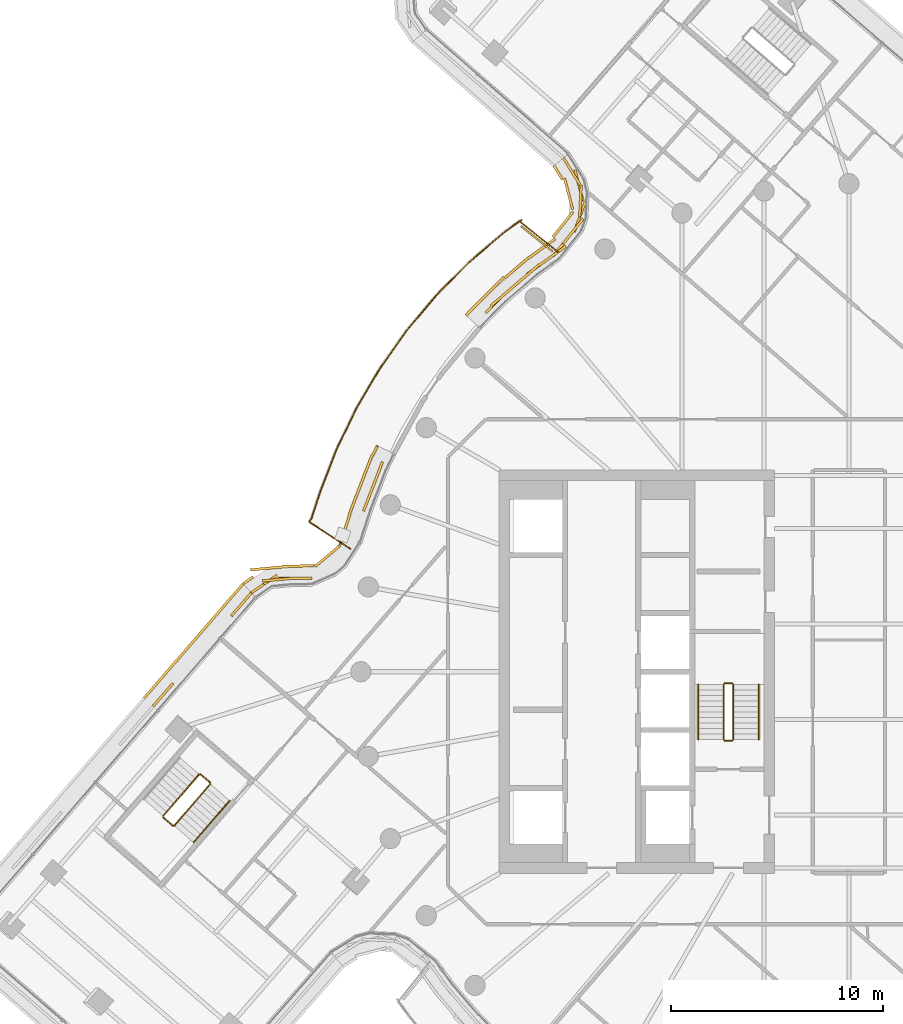
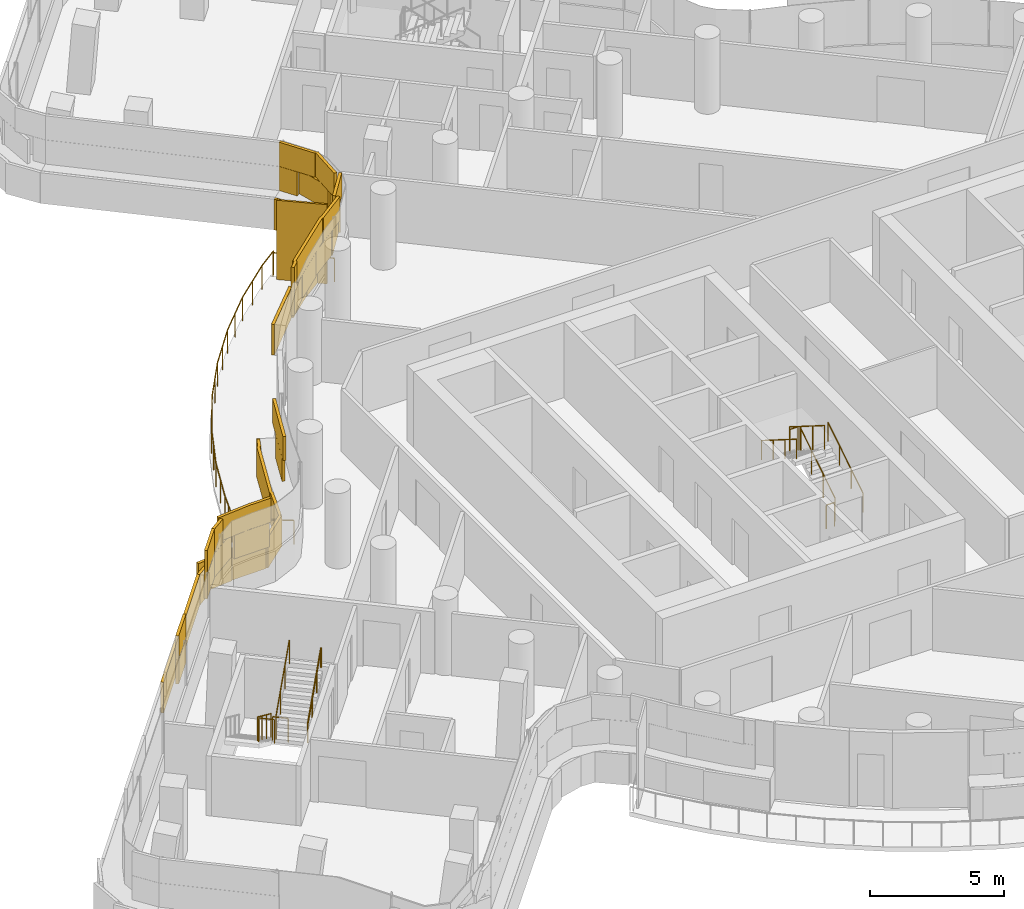
# One storey, part 28 of 32: 12 railings, 3 coverings, 1 shading device.
"""IFC4 building model written with IfcOpenShell, lengths in metres."""

import ifcopenshell
import ifcopenshell.guid

model = None  # the IFC model being written
_history = None  # IfcOwnerHistory: only IFC2X3 demands one
_inside = {}  # id of a spatial element -> (the spatial element, [elements in it])
_under = {}  # id of a project, library or spatial element -> (it, [spatial elements below it])
_declared = {}  # id of a project -> (the project, [libraries it declares])
_typed = {}  # id of a type object -> (the type object, [elements of that type])
_made_of = {}  # id of a material, layer set ... -> (it, [elements and type objects made of it])


def new_model(schema):
    """Start an empty IFC model of exactly this schema.

    Asked for "IFC4X3", IfcOpenShell would pick the latest addendum, in which some entities
    have other attributes; the version numbers below select the first issue.
    IFC2X3 requires an IfcOwnerHistory on every rooted entity: one is made here for all.
    """
    global model, _history
    if schema == "IFC4X3":
        model = ifcopenshell.file(schema_version=(4, 3, 0, 0))
    else:
        model = ifcopenshell.file(schema=schema)
    _inside.clear()
    _under.clear()
    _declared.clear()
    _typed.clear()
    _made_of.clear()
    _history = None
    if model.schema == "IFC2X3":
        org = make("IfcOrganization", Name="unknown")
        user = make(
            "IfcPersonAndOrganization",
            ThePerson=make("IfcPerson", FamilyName="unknown"),
            TheOrganization=org,
        )
        app = make(
            "IfcApplication",
            ApplicationDeveloper=org,
            Version="unknown",
            ApplicationFullName="unknown",
            ApplicationIdentifier="unknown",
        )
        _history = make(
            "IfcOwnerHistory",
            OwningUser=user,
            OwningApplication=app,
            ChangeAction="ADDED",
            CreationDate=0,
        )
    return model


def make(cls, **values):
    """One entity of the class cls with the attributes given. An attribute that is None is left unset."""
    return model.create_entity(
        cls, **{name: value for name, value in values.items() if value is not None}
    )


def rooted(cls, **values):
    """An entity with a GlobalId (a new one), such as an element, a storey or a relation."""
    return make(cls, GlobalId=ifcopenshell.guid.new(), OwnerHistory=_history, **values)


def si_unit(unit_type, name, prefix=None):
    """IfcSIUnit, for example si_unit("LENGTHUNIT", "METRE", prefix="MILLI")."""
    return make("IfcSIUnit", UnitType=unit_type, Prefix=prefix, Name=name)


def assignment(units):
    """IfcUnitAssignment: the units of a project."""
    return None if units is None else make("IfcUnitAssignment", Units=units)


def point(xyz):
    """IfcCartesianPoint."""
    return None if xyz is None else make("IfcCartesianPoint", Coordinates=xyz)


def direction(xyz):
    """IfcDirection."""
    return None if xyz is None else make("IfcDirection", DirectionRatios=xyz)


def frame(location, z_axis=None, x_axis=None):
    """IfcAxis2Placement3D, a coordinate frame: its origin and axes. An axis left out is left unset."""
    return make(
        "IfcAxis2Placement3D",
        Location=point(location),
        Axis=direction(z_axis),
        RefDirection=direction(x_axis),
    )


def frame_2d(location, x_axis=None):
    """IfcAxis2Placement2D, a coordinate frame in the plane: its origin and x axis."""
    return make(
        "IfcAxis2Placement2D", Location=point(location), RefDirection=direction(x_axis)
    )


def origin():
    """The frame at (0, 0, 0) with its axes left unset."""
    return frame((0.0, 0.0, 0.0))


def origin_2d():
    """The frame at (0, 0) in the plane with its x axis left unset."""
    return frame_2d((0.0, 0.0))


def place(relative_to, where):
    """IfcLocalPlacement: puts the frame where relative to a parent placement (None: the world)."""
    return make(
        "IfcLocalPlacement", PlacementRelTo=relative_to, RelativePlacement=where
    )


def context(
    kind, dimensions, precision=None, world=None, true_north=None, identifier=None
):
    """IfcGeometricRepresentationContext, for example the 3D "Model" context."""
    return make(
        "IfcGeometricRepresentationContext",
        ContextIdentifier=identifier,
        ContextType=kind,
        CoordinateSpaceDimension=dimensions,
        Precision=precision,
        WorldCoordinateSystem=world,
        TrueNorth=true_north,
    )


def subcontext(parent, identifier, kind, view, scale=None):
    """IfcGeometricRepresentationSubContext, for example "Body" below "Model"."""
    return make(
        "IfcGeometricRepresentationSubContext",
        ContextIdentifier=identifier,
        ContextType=kind,
        ParentContext=parent,
        TargetScale=scale,
        TargetView=view,
    )


def project(units=None, contexts=None):
    """IfcProject with its units and contexts."""
    return rooted(
        "IfcProject",
        Name="project",
        RepresentationContexts=contexts,
        UnitsInContext=assignment(units),
    )


def spatial(cls, under=None, at=None, **own):
    """A site, building, storey or space (cls), placed at a placement, below another one or the project."""
    s = rooted(cls, ObjectPlacement=at, **own)
    if under is not None:
        _under.setdefault(under.id(), (under, []))[1].append(s)
    return s


def profile(cls, at=None, kind="AREA", **sizes):
    """A parametric profile (cls). Its sizes go by their IFC names, for example OverallWidth=200.0."""
    return make(cls, ProfileType=kind, Position=at, **sizes)


def rectangle(**sizes):
    """IfcRectangleProfileDef."""
    return profile("IfcRectangleProfileDef", **sizes)


def circle(**sizes):
    """IfcCircleProfileDef."""
    return profile("IfcCircleProfileDef", **sizes)


def extrude(swept, where, along, depth):
    """IfcExtrudedAreaSolid: the profile swept, set in the frame where, extruded along a direction by depth."""
    return make(
        "IfcExtrudedAreaSolid",
        SweptArea=swept,
        Position=where,
        ExtrudedDirection=direction(along),
        Depth=depth,
    )


def shape(context_of_items, identifier, shape_type, items):
    """IfcShapeRepresentation: the items that make up one representation, for example the "Body"."""
    return make(
        "IfcShapeRepresentation",
        ContextOfItems=context_of_items,
        RepresentationIdentifier=identifier,
        RepresentationType=shape_type,
        Items=items,
    )


def material(Name=None, Category=None):
    """IfcMaterial."""
    return make("IfcMaterial", Name=Name, Category=Category)


def layer(
    of_material, thickness, ventilated=None, Name=None, Category=None, Priority=None
):
    """IfcMaterialLayer: one layer of a wall or slab, of a material (None: an air gap)."""
    return make(
        "IfcMaterialLayer",
        Material=of_material,
        LayerThickness=thickness,
        IsVentilated=ventilated,
        Name=Name,
        Category=Category,
        Priority=Priority,
    )


def layer_set(layers, Name=None):
    """IfcMaterialLayerSet."""
    return make("IfcMaterialLayerSet", MaterialLayers=layers, LayerSetName=Name)


def made_of(thing, what):
    """Note that an element or type object is made of a material, layer set ...; save() writes the relation."""
    if what is not None:
        _made_of.setdefault(what.id(), (what, []))[1].append(thing)
    return thing


def type_object(cls, material=None, **own):
    """A type object (cls), such as IfcWallType, which elements share."""
    return made_of(rooted(cls, **own), material)


def element(
    cls,
    number,
    at=None,
    inside=None,
    cuts=None,
    type_object=None,
    material=None,
    context=None,
    identifier="Body",
    shape_type=None,
    held_by="IfcProductDefinitionShape",
    body=None,
    shapes=None,
    **own,
):
    """One element of the class cls, such as IfcWall. Its Tag is "e" and its number.

    at: its placement. inside: the storey or other place that contains it. cuts: it is an
    opening in that element (IfcRelVoidsElement). A single representation is given by context,
    identifier, shape_type and body (its items); several are given by shapes. held_by: the class
    of the entity that holds the representations. save() writes the other relations.
    """
    e = rooted(cls, Tag="e%d" % number, ObjectPlacement=at, **own)
    if body is not None:
        shapes = [shape(context, identifier, shape_type, body)]
    if shapes is not None:
        e.Representation = make(held_by, Representations=shapes)
    if inside is not None:
        _inside.setdefault(inside.id(), (inside, []))[1].append(e)
    if cuts is not None:
        rooted(
            "IfcRelVoidsElement", RelatingBuildingElement=cuts, RelatedOpeningElement=e
        )
    if type_object is not None:
        _typed.setdefault(type_object.id(), (type_object, []))[1].append(e)
    return made_of(e, material)


def aggregate(whole, parts):
    """IfcRelAggregates: a whole, such as a stair, and the parts it consists of."""
    return rooted("IfcRelAggregates", RelatingObject=whole, RelatedObjects=parts)


def save(model, path):
    """Write the relations noted so far, then the file.

    IfcRelAggregates (storeys below a building ...), IfcRelContainedInSpatialStructure (elements
    in a storey), IfcRelDefinesByType, IfcRelAssociatesMaterial and IfcRelDeclares: one each for
    every whole, place, type object, material and project.
    """
    for whole, parts in _under.values():
        aggregate(whole, parts)
    for where, things in _inside.values():
        rooted(
            "IfcRelContainedInSpatialStructure",
            RelatedElements=things,
            RelatingStructure=where,
        )
    for kind, things in _typed.values():
        rooted("IfcRelDefinesByType", RelatedObjects=things, RelatingType=kind)
    for what, things in _made_of.values():
        rooted("IfcRelAssociatesMaterial", RelatedObjects=things, RelatingMaterial=what)
    for by, libraries in _declared.values():
        rooted("IfcRelDeclares", RelatingContext=by, RelatedDefinitions=libraries)
    model.write(path)


model = new_model("IFC4")

# Units and contexts
model_context = context("Model", 3, precision=1e-05, world=origin(), true_north=direction((0.0, 1.0)))
body_context = subcontext(model_context, "Body", "Model", "MODEL_VIEW")
ifc_project = project(units=[si_unit("LENGTHUNIT", "METRE"), si_unit("AREAUNIT", "SQUARE_METRE"), si_unit("VOLUMEUNIT", "CUBIC_METRE"), si_unit("PLANEANGLEUNIT", "RADIAN"), si_unit("MASSUNIT", "GRAM", prefix="KILO")], contexts=[model_context])

# Site, building, storey
site_placement = place(None, origin())
site = spatial("IfcSite", under=ifc_project, at=site_placement, CompositionType="ELEMENT")
building_placement = place(site_placement, origin())
building = spatial("IfcBuilding", under=site, at=building_placement, Name="Tamarind Cross Interchange Tower", CompositionType="ELEMENT")
storey_placement = place(building_placement, frame((0.0, 0.0, 211.300048828125)))
storey = spatial("IfcBuildingStorey", under=building, at=storey_placement, Name="L53", CompositionType="ELEMENT", Elevation=211.300048828125)

# Railing
ifc_material_1 = material(Name="Stainless steel and laminated glass", Category="steel")
railing_type_1 = type_object("IfcRailingType", Name="Balcony guard", PredefinedType="BALUSTRADE", material=ifc_material_1)
railing_1_placement = place(storey_placement, frame((-13.683837890625, 19.7607421875, 0.0)))
element("IfcRailing", 1, at=railing_1_placement, inside=storey, type_object=railing_type_1, Name="Balcony guard 10", PredefinedType="BALUSTRADE", context=body_context, shape_type="SweptSolid", body=[
    extrude(circle(Radius=0.02490234375, at=origin_2d()), frame((0.0, 0.0, 1.0751953125), z_axis=(-0.779367609799, 0.626566938799, 0.0), x_axis=(-0.626566938799, -0.779367609799, 0.0)), (0.0, 0.0, 1.0), 2.320068359375),
    extrude(circle(Radius=0.02490234375, at=origin_2d()), frame((-1.80810546875, 1.45361328125, 1.0751953125), z_axis=(0.626033524232, 0.779796144218, 0.0), x_axis=(-0.779796144218, 0.626033524232, 0.0)), (0.0, 0.0, 1.0), 0.111083984375),
    extrude(circle(Radius=0.02490234375, at=origin_2d()), frame((-1.738525390625, 1.540283203125, 1.0751953125), z_axis=(-0.809790650995, -0.586718928927, 0.0), x_axis=(0.586718928927, -0.809790650995, 0.0)), (0.0, 0.0, 1.0), 1.02978515625),
    extrude(circle(Radius=0.02490234375, at=origin_2d()), frame((-2.572509765625, 0.93603515625, 1.0751953125), z_axis=(-0.760295032711, -0.649577911597, 0.0), x_axis=(0.649577911597, -0.760295032711, 0.0)), (0.0, 0.0, 1.0), 2.172119140625),
    extrude(circle(Radius=0.02490234375, at=origin_2d()), frame((-4.223876953125, -0.474853515625, 1.0751953125), z_axis=(-0.704069857635, -0.710130717242, 0.0), x_axis=(0.710130717242, -0.704069857635, 0.0)), (0.0, 0.0, 1.0), 2.17529296875),
    extrude(circle(Radius=0.02490234375, at=origin_2d()), frame((-5.75537109375, -2.01953125, 1.0751953125), z_axis=(-0.642984125922, -0.765879503455, 0.0), x_axis=(0.765879503455, -0.642984125922, 0.0)), (0.0, 0.0, 1.0), 2.17529296875),
    extrude(circle(Radius=0.02490234375, at=origin_2d()), frame((-7.154052734375, -3.685546875, 1.0751953125), z_axis=(-0.577590617379, -0.81632657602, 0.0), x_axis=(0.81632657602, -0.577590617379, 0.0)), (0.0, 0.0, 1.0), 2.175048828125),
    extrude(circle(Radius=0.02490234375, at=origin_2d()), frame((-8.410400390625, -5.461181640625, 1.0751953125), z_axis=(-0.508226290333, -0.861223570169, 0.0), x_axis=(0.861223570169, -0.508226290333, 0.0)), (0.0, 0.0, 1.0), 2.175048828125),
    extrude(circle(Radius=0.02490234375, at=origin_2d()), frame((-9.515869140625, -7.33447265625, 1.0751953125), z_axis=(-0.435276325285, -0.90029690694, 0.0), x_axis=(0.90029690694, -0.435276325285, 0.0)), (0.0, 0.0, 1.0), 2.175048828125),
    extrude(circle(Radius=0.02490234375, at=origin_2d()), frame((-10.462646484375, -9.292724609375, 1.0751953125), z_axis=(-0.359537176625, -0.933130761804, 0.0), x_axis=(0.933130761804, -0.359537176625, 0.0)), (0.0, 0.0, 1.0), 2.1396484375),
    extrude(circle(Radius=0.02490234375, at=origin_2d()), frame((-11.23193359375, -11.289306640625, 1.0751953125), z_axis=(-0.310394958988, -0.950607684292, 0.0), x_axis=(0.950607684292, -0.310394958988, 0.0)), (0.0, 0.0, 1.0), 1.31982421875),
    extrude(circle(Radius=0.02490234375, at=origin_2d()), frame((-11.6416015625, -12.5439453125, 1.0751953125), z_axis=(-0.547113495112, -0.837058434918, 0.0), x_axis=(0.837058434918, -0.547113495112, 0.0)), (0.0, 0.0, 1.0), 0.193603515625),
    extrude(circle(Radius=0.02490234375, at=origin_2d()), frame((-11.74755859375, -12.7060546875, 1.0751953125), z_axis=(0.837417949309, -0.546563059652, 0.0), x_axis=(0.546563059652, 0.837417949309, 0.0)), (0.0, 0.0, 1.0), 2.320068359375),
    extrude(circle(Radius=0.02001953125, at=origin_2d()), origin(), (0.0, 0.0, 1.0), 1.050048828125),
    extrude(circle(Radius=0.02001953125, at=origin_2d()), frame((-0.904052734375, 0.726806640625, 0.0)), (0.0, 0.0, 1.0), 1.050048828125),
    extrude(circle(Radius=0.02001953125, at=origin_2d()), frame((-1.80810546875, 1.45361328125, 0.0)), (0.0, 0.0, 1.0), 1.050048828125),
    extrude(circle(Radius=0.02001953125, at=origin_2d()), frame((-1.738525390625, 1.540283203125, 0.0)), (0.0, 0.0, 1.0), 1.050048828125),
    extrude(circle(Radius=0.02001953125, at=origin_2d()), frame((-2.572509765625, 0.93603515625, 0.0)), (0.0, 0.0, 1.0), 1.050048828125),
    extrude(circle(Radius=0.02001953125, at=origin_2d()), frame((-3.398193359375, 0.23046875, 0.0)), (0.0, 0.0, 1.0), 1.050048828125),
    extrude(circle(Radius=0.02001953125, at=origin_2d()), frame((-4.223876953125, -0.474853515625, 0.0)), (0.0, 0.0, 1.0), 1.050048828125),
    extrude(circle(Radius=0.02001953125, at=origin_2d()), frame((-4.98974609375, -1.2470703125, 0.0)), (0.0, 0.0, 1.0), 1.050048828125),
    extrude(circle(Radius=0.02001953125, at=origin_2d()), frame((-5.75537109375, -2.01953125, 0.0)), (0.0, 0.0, 1.0), 1.050048828125),
    extrude(circle(Radius=0.02001953125, at=origin_2d()), frame((-6.45458984375, -2.8525390625, 0.0)), (0.0, 0.0, 1.0), 1.050048828125),
    extrude(circle(Radius=0.02001953125, at=origin_2d()), frame((-7.154052734375, -3.685546875, 0.0)), (0.0, 0.0, 1.0), 1.050048828125),
    extrude(circle(Radius=0.02001953125, at=origin_2d()), frame((-7.7822265625, -4.5732421875, 0.0)), (0.0, 0.0, 1.0), 1.050048828125),
    extrude(circle(Radius=0.02001953125, at=origin_2d()), frame((-8.410400390625, -5.461181640625, 0.0)), (0.0, 0.0, 1.0), 1.050048828125),
    extrude(circle(Radius=0.02001953125, at=origin_2d()), frame((-8.963134765625, -6.39794921875, 0.0)), (0.0, 0.0, 1.0), 1.050048828125),
    extrude(circle(Radius=0.02001953125, at=origin_2d()), frame((-9.515869140625, -7.33447265625, 0.0)), (0.0, 0.0, 1.0), 1.050048828125),
    extrude(circle(Radius=0.02001953125, at=origin_2d()), frame((-9.9892578125, -8.3134765625, 0.0)), (0.0, 0.0, 1.0), 1.050048828125),
    extrude(circle(Radius=0.02001953125, at=origin_2d()), frame((-10.462646484375, -9.292724609375, 0.0)), (0.0, 0.0, 1.0), 1.050048828125),
    extrude(circle(Radius=0.02001953125, at=origin_2d()), frame((-10.84716796875, -10.291015625, 0.0)), (0.0, 0.0, 1.0), 1.050048828125),
    extrude(circle(Radius=0.02001953125, at=origin_2d()), frame((-11.23193359375, -11.289306640625, 0.0)), (0.0, 0.0, 1.0), 1.050048828125),
    extrude(circle(Radius=0.02001953125, at=origin_2d()), frame((-11.436767578125, -11.91650390625, 0.0)), (0.0, 0.0, 1.0), 1.050048828125),
    extrude(circle(Radius=0.02001953125, at=origin_2d()), frame((-11.6416015625, -12.5439453125, 0.0)), (0.0, 0.0, 1.0), 1.050048828125),
    extrude(circle(Radius=0.02001953125, at=origin_2d()), frame((-11.74755859375, -12.7060546875, 0.0)), (0.0, 0.0, 1.0), 1.050048828125),
    extrude(circle(Radius=0.02001953125, at=origin_2d()), frame((-10.776123046875, -13.340087890625, 0.0)), (0.0, 0.0, 1.0), 1.050048828125),
    extrude(circle(Radius=0.02001953125, at=origin_2d()), frame((-9.8046875, -13.97412109375, 0.0)), (0.0, 0.0, 1.0), 1.050048828125),
])

# Shading device
ifc_material_2 = material(Name="Bronze-finish aluminium louvre", Category="aluminium")
ifc_layer_1 = layer(ifc_material_2, 0.080078125)
ifc_layer_set_1 = layer_set([ifc_layer_1], Name="Bronze-finish aluminium louvre")
shading_device_type = type_object("IfcShadingDeviceType", Name="Operable louvre bay", PredefinedType="JALOUSIE", material=ifc_layer_set_1)
shading_device_placement = place(storey_placement, origin())
element("IfcShadingDevice", 2, at=shading_device_placement, inside=storey, type_object=shading_device_type, Name="LVR-L53-BAL10", PredefinedType="JALOUSIE", context=body_context, shape_type="SweptSolid", body=[
    extrude(rectangle(XDim=1.89990234375, YDim=0.080078125, at=origin_2d()), frame((-14.706787109375, 20.403564453125, 0.0), z_axis=(0.0, 0.0, 1.0), x_axis=(-0.779412595754, 0.62651097802, 0.0)), (0.0, 0.0, 1.0), 3.60009765625),
])

# Railings
ifc_material_3 = material(Name="Stair guard")
railing_type_2 = type_object("IfcRailingType", Name="Stair guard", PredefinedType="GUARDRAIL", material=ifc_material_3)
railing_2_placement = place(storey_placement, frame((-5.449951171875, -3.199951171875, 0.16357421875)))
element("IfcRailing", 3, at=railing_2_placement, inside=storey, type_object=railing_type_2, Name="L53 ST1 stair guard 1", PredefinedType="GUARDRAIL", context=body_context, shape_type="SweptSolid", body=[
    extrude(circle(Radius=0.02392578125, at=origin_2d()), frame((0.0, 0.0, 1.076171875), z_axis=(0.0, 0.846301844409, 0.532703658848), x_axis=(-1.0, 0.0, 0.0)), (0.0, 0.0, 1.0), 3.072021484375),
    extrude(circle(Radius=0.02099609375, at=origin_2d()), origin(), (0.0, 0.0, 1.0), 1.052001953125),
    extrude(circle(Radius=0.02099609375, at=origin_2d()), frame((0.0, 0.86669921875, 0.54541015625)), (0.0, 0.0, 1.0), 1.052001953125),
    extrude(circle(Radius=0.02099609375, at=origin_2d()), frame((0.0, 1.733154296875, 1.091064453125)), (0.0, 0.0, 1.0), 1.052001953125),
    extrude(circle(Radius=0.02099609375, at=origin_2d()), frame((0.0, 2.599853515625, 1.636474609375)), (0.0, 0.0, 1.0), 1.052001953125),
])
railing_3_placement = place(storey_placement, frame((-5.5, -0.550048828125, 1.800048828125)))
element("IfcRailing", 4, at=railing_3_placement, inside=storey, type_object=railing_type_2, Name="L53 ST1 stair guard 2", PredefinedType="GUARDRAIL", context=body_context, shape_type="SweptSolid", body=[
    extrude(circle(Radius=0.02392578125, at=origin_2d()), frame((0.0, 0.0, 1.076171875), z_axis=(-1.0, 0.0, 0.0), x_axis=(0.0, -1.0, 0.0)), (0.0, 0.0, 1.0), 0.35009765625),
    extrude(circle(Radius=0.02099609375, at=origin_2d()), origin(), (0.0, 0.0, 1.0), 1.052001953125),
    extrude(circle(Radius=0.02099609375, at=origin_2d()), frame((-0.35009765625, 0.0, 0.0)), (0.0, 0.0, 1.0), 1.052001953125),
])
railing_4_placement = place(storey_placement, frame((-5.89990234375, -0.60009765625, 1.963623046875)))
element("IfcRailing", 5, at=railing_4_placement, inside=storey, type_object=railing_type_2, Name="L53 ST1 stair guard 3", PredefinedType="GUARDRAIL", context=body_context, shape_type="SweptSolid", body=[
    extrude(circle(Radius=0.02392578125, at=origin_2d()), frame((0.0, 0.0, 1.076171875), z_axis=(0.0, -0.846337672412, 0.532646734952), x_axis=(1.0, 0.0, 0.0)), (0.0, 0.0, 1.0), 3.07177734375),
    extrude(circle(Radius=0.02099609375, at=origin_2d()), origin(), (0.0, 0.0, 1.0), 1.052001953125),
    extrude(circle(Radius=0.02099609375, at=origin_2d()), frame((0.0, -0.86669921875, 0.54541015625)), (0.0, 0.0, 1.0), 1.052001953125),
    extrude(circle(Radius=0.02099609375, at=origin_2d()), frame((0.0, -1.733154296875, 1.0908203125)), (0.0, 0.0, 1.0), 1.052001953125),
    extrude(circle(Radius=0.02099609375, at=origin_2d()), frame((0.0, -2.599853515625, 1.63623046875)), (0.0, 0.0, 1.0), 1.052001953125),
])
railing_5_placement = place(storey_placement, frame((-5.5, -3.25, 0.0)))
element("IfcRailing", 6, at=railing_5_placement, inside=storey, type_object=railing_type_2, Name="L53 ST1 stair guard 4", PredefinedType="GUARDRAIL", context=body_context, shape_type="SweptSolid", body=[
    extrude(circle(Radius=0.02392578125, at=origin_2d()), frame((0.0, 0.0, 1.076171875), z_axis=(-1.0, 0.0, 0.0), x_axis=(0.0, -1.0, 0.0)), (0.0, 0.0, 1.0), 0.35009765625),
    extrude(circle(Radius=0.02099609375, at=origin_2d()), origin(), (0.0, 0.0, 1.0), 1.052001953125),
    extrude(circle(Radius=0.02099609375, at=origin_2d()), frame((-0.35009765625, 0.0, 0.0)), (0.0, 0.0, 1.0), 1.052001953125),
])
railing_6_placement = place(storey_placement, frame((-30.62060546875, -4.8369140625, 0.16357421875)))
element("IfcRailing", 7, at=railing_6_placement, inside=storey, type_object=railing_type_2, Name="L53 ST5 stair guard 1", PredefinedType="GUARDRAIL", context=body_context, shape_type="SweptSolid", body=[
    extrude(circle(Radius=0.02392578125, at=origin_2d()), frame((0.0, 0.0, 1.076171875), z_axis=(-0.554064099018, -0.639732644448, 0.532686697607), x_axis=(0.755905920123, -0.654680257776, 0.0)), (0.0, 0.0, 1.0), 3.072021484375),
    extrude(circle(Radius=0.02099609375, at=origin_2d()), origin(), (0.0, 0.0, 1.0), 1.052001953125),
    extrude(circle(Radius=0.02099609375, at=origin_2d()), frame((-0.5673828125, -0.655029296875, 0.54541015625)), (0.0, 0.0, 1.0), 1.052001953125),
    extrude(circle(Radius=0.02099609375, at=origin_2d()), frame((-1.134765625, -1.310302734375, 1.091064453125)), (0.0, 0.0, 1.0), 1.052001953125),
    extrude(circle(Radius=0.02099609375, at=origin_2d()), frame((-1.7021484375, -1.96533203125, 1.636474609375)), (0.0, 0.0, 1.0), 1.052001953125),
])
railing_7_placement = place(storey_placement, frame((-32.31787109375, -6.872802734375, 1.800048828125)))
element("IfcRailing", 8, at=railing_7_placement, inside=storey, type_object=railing_type_2, Name="L53 ST5 stair guard 2", PredefinedType="GUARDRAIL", context=body_context, shape_type="SweptSolid", body=[
    extrude(circle(Radius=0.02392578125, at=origin_2d()), frame((0.0, 0.0, 1.076171875), z_axis=(0.755944086857, -0.654636187165, 0.0), x_axis=(0.654636187165, 0.755944086857, 0.0)), (0.0, 0.0, 1.0), 0.60009765625),
    extrude(circle(Radius=0.02099609375, at=origin_2d()), origin(), (0.0, 0.0, 1.0), 1.052001953125),
    extrude(circle(Radius=0.02099609375, at=origin_2d()), frame((0.45361328125, -0.392822265625, 0.0)), (0.0, 0.0, 1.0), 1.052001953125),
])
railing_8_placement = place(storey_placement, frame((-31.793701171875, -7.260498046875, 1.963623046875)))
element("IfcRailing", 9, at=railing_8_placement, inside=storey, type_object=railing_type_2, Name="L53 ST5 stair guard 3", PredefinedType="GUARDRAIL", context=body_context, shape_type="SweptSolid", body=[
    extrude(circle(Radius=0.02392578125, at=origin_2d()), frame((0.0, 0.0, 1.076171875), z_axis=(0.554087553706, 0.639759725665, 0.532629774088), x_axis=(-0.755905920123, 0.654680257776, 0.0)), (0.0, 0.0, 1.0), 3.072021484375),
    extrude(circle(Radius=0.02099609375, at=origin_2d()), origin(), (0.0, 0.0, 1.0), 1.052001953125),
    extrude(circle(Radius=0.02099609375, at=origin_2d()), frame((0.5673828125, 0.655029296875, 0.54541015625)), (0.0, 0.0, 1.0), 1.052001953125),
    extrude(circle(Radius=0.02099609375, at=origin_2d()), frame((1.134765625, 1.310302734375, 1.0908203125)), (0.0, 0.0, 1.0), 1.052001953125),
    extrude(circle(Radius=0.02099609375, at=origin_2d()), frame((1.7021484375, 1.96533203125, 1.63623046875)), (0.0, 0.0, 1.0), 1.052001953125),
])
railing_9_placement = place(storey_placement, frame((-30.55029296875, -4.831787109375, 0.0)))
element("IfcRailing", 10, at=railing_9_placement, inside=storey, type_object=railing_type_2, Name="L53 ST5 stair guard 4", PredefinedType="GUARDRAIL", context=body_context, shape_type="SweptSolid", body=[
    extrude(circle(Radius=0.02392578125, at=origin_2d()), frame((0.0, 0.0, 1.076171875), z_axis=(0.755944086857, -0.654636187165, 0.0), x_axis=(0.654636187165, 0.755944086857, 0.0)), (0.0, 0.0, 1.0), 0.60009765625),
    extrude(circle(Radius=0.02099609375, at=origin_2d()), origin(), (0.0, 0.0, 1.0), 1.052001953125),
    extrude(circle(Radius=0.02099609375, at=origin_2d()), frame((0.45361328125, -0.392822265625, 0.0)), (0.0, 0.0, 1.0), 1.052001953125),
])
ifc_material_4 = material(Name="Stair handrail")
railing_type_3 = type_object("IfcRailingType", Name="Stair handrail", PredefinedType="HANDRAIL", material=ifc_material_4)
railing_10_placement = place(storey_placement, frame((-4.25, -3.199951171875, 0.16357421875)))
element("IfcRailing", 11, at=railing_10_placement, inside=storey, type_object=railing_type_3, Name="L53 ST1 stair handrail 1", PredefinedType="HANDRAIL", context=body_context, shape_type="SweptSolid", body=[
    extrude(circle(Radius=0.02392578125, at=origin_2d()), frame((0.0, 0.0, 0.8759765625), z_axis=(0.0, 0.846301844409, 0.532703658848), x_axis=(-1.0, 0.0, 0.0)), (0.0, 0.0, 1.0), 3.072021484375),
    extrude(circle(Radius=0.02099609375, at=origin_2d()), origin(), (0.0, 0.0, 1.0), 0.851806640625),
    extrude(circle(Radius=0.02099609375, at=origin_2d()), frame((0.0, 0.86669921875, 0.54541015625)), (0.0, 0.0, 1.0), 0.851806640625),
    extrude(circle(Radius=0.02099609375, at=origin_2d()), frame((0.0, 1.733154296875, 1.091064453125)), (0.0, 0.0, 1.0), 0.851806640625),
    extrude(circle(Radius=0.02099609375, at=origin_2d()), frame((0.0, 2.599853515625, 1.636474609375)), (0.0, 0.0, 1.0), 0.851806640625),
])
railing_11_placement = place(storey_placement, frame((-7.10009765625, -0.60009765625, 1.963623046875)))
element("IfcRailing", 12, at=railing_11_placement, inside=storey, type_object=railing_type_3, Name="L53 ST1 stair handrail 2", PredefinedType="HANDRAIL", context=body_context, shape_type="SweptSolid", body=[
    extrude(circle(Radius=0.02392578125, at=origin_2d()), frame((0.0, 0.0, 0.8759765625), z_axis=(0.0, -0.846337672412, 0.532646734952), x_axis=(1.0, 0.0, 0.0)), (0.0, 0.0, 1.0), 3.07177734375),
    extrude(circle(Radius=0.02099609375, at=origin_2d()), origin(), (0.0, 0.0, 1.0), 0.851806640625),
    extrude(circle(Radius=0.02099609375, at=origin_2d()), frame((0.0, -0.86669921875, 0.54541015625)), (0.0, 0.0, 1.0), 0.851806640625),
    extrude(circle(Radius=0.02099609375, at=origin_2d()), frame((0.0, -1.733154296875, 1.0908203125)), (0.0, 0.0, 1.0), 0.851806640625),
    extrude(circle(Radius=0.02099609375, at=origin_2d()), frame((0.0, -2.599853515625, 1.63623046875)), (0.0, 0.0, 1.0), 0.851806640625),
])
railing_12_placement = place(storey_placement, frame((-30.88671875, -8.046142578125, 1.963623046875)))
element("IfcRailing", 13, at=railing_12_placement, inside=storey, type_object=railing_type_3, Name="L53 ST5 stair handrail 2", PredefinedType="HANDRAIL", context=body_context, shape_type="SweptSolid", body=[
    extrude(circle(Radius=0.02392578125, at=origin_2d()), frame((0.0, 0.0, 0.8759765625), z_axis=(0.554087553706, 0.639759725665, 0.532629774088), x_axis=(-0.755905920123, 0.654680257776, 0.0)), (0.0, 0.0, 1.0), 3.072021484375),
    extrude(circle(Radius=0.02099609375, at=origin_2d()), origin(), (0.0, 0.0, 1.0), 0.851806640625),
    extrude(circle(Radius=0.02099609375, at=origin_2d()), frame((0.5673828125, 0.655029296875, 0.54541015625)), (0.0, 0.0, 1.0), 0.851806640625),
    extrude(circle(Radius=0.02099609375, at=origin_2d()), frame((1.134765625, 1.310302734375, 1.0908203125)), (0.0, 0.0, 1.0), 0.851806640625),
    extrude(circle(Radius=0.02099609375, at=origin_2d()), frame((1.7021484375, 1.96533203125, 1.63623046875)), (0.0, 0.0, 1.0), 0.851806640625),
])

# Coverings
ifc_material_5 = material(Name="Terracotta", Category="masonry")
ifc_layer_2 = layer(ifc_material_5, 0.1201171875)
ifc_layer_set_2 = layer_set([ifc_layer_2], Name="Terracotta")
covering_type = type_object("IfcCoveringType", Name="Terracotta baguette screen unit", PredefinedType="MOLDING", material=ifc_layer_set_2)
covering_1_placement = place(storey_placement, origin())
element("IfcCovering", 14, at=covering_1_placement, inside=storey, type_object=covering_type, Name="SCR-L53-10-00", PredefinedType="MOLDING", context=body_context, shape_type="SweptSolid", body=[
    extrude(rectangle(XDim=0.760009765625, YDim=0.1201171875, at=origin_2d()), frame((-13.257568359375, 23.89599609375, 1.40380859375), z_axis=(0.0, 0.0, 1.0), x_axis=(0.527584380313, -0.849502631927, 0.0)), (0.0, 0.0, 1.0), 1.092041015625),
    extrude(rectangle(XDim=1.52001953125, YDim=0.1201171875, at=origin_2d()), frame((-12.719482421875, 22.91650390625, 1.40380859375), z_axis=(0.0, 0.0, 1.0), x_axis=(0.251717561508, -0.96780073839, 0.0)), (0.0, 0.0, 1.0), 1.092041015625),
    extrude(rectangle(XDim=1.52001953125, YDim=0.1201171875, at=origin_2d()), frame((-12.685546875, 21.42919921875, 1.40380859375), z_axis=(0.0, 0.0, 1.0), x_axis=(-0.341154960714, -0.940007070601, 0.0)), (0.0, 0.0, 1.0), 1.092041015625),
    extrude(rectangle(XDim=1.52001953125, YDim=0.1201171875, at=origin_2d()), frame((-13.46875, 20.172119140625, 1.40380859375), z_axis=(0.0, 0.0, 1.0), x_axis=(-0.62651097802, -0.779412595754, 0.0)), (0.0, 0.0, 1.0), 1.092041015625),
    extrude(rectangle(XDim=1.52001953125, YDim=0.1201171875, at=origin_2d()), frame((-14.5654296875, 19.16796875, 1.40380859375), z_axis=(0.0, 0.0, 1.0), x_axis=(-0.809855833413, -0.586628953503, 0.0)), (0.0, 0.0, 1.0), 1.092041015625),
    extrude(rectangle(XDim=1.52001953125, YDim=0.1201171875, at=origin_2d()), frame((-15.724853515625, 18.2177734375, 1.40380859375), z_axis=(0.0, 0.0, 1.0), x_axis=(-0.760295606781, -0.64957723968, 0.0)), (0.0, 0.0, 1.0), 1.092041015625),
    extrude(rectangle(XDim=1.172607421875, YDim=0.1201171875, at=origin_2d()), frame((-16.71142578125, 17.3251953125, 1.40380859375), z_axis=(0.0, 0.0, 1.0), x_axis=(-0.704057148523, -0.710143317658, 0.0)), (0.0, 0.0, 1.0), 1.092041015625),
    extrude(rectangle(XDim=1.510009765625, YDim=0.1201171875, at=origin_2d()), frame((-13.0595703125, 23.577392578125, 2.50390625), z_axis=(0.0, 0.0, 1.0), x_axis=(0.527584380313, -0.849502631927, 0.0)), (0.0, 0.0, 1.0), 1.092041015625),
    extrude(rectangle(XDim=1.52001953125, YDim=0.1201171875, at=origin_2d()), frame((-12.649658203125, 22.17822265625, 2.50390625), z_axis=(0.0, 0.0, 1.0), x_axis=(-0.046828240266, -0.998902956204, 0.0)), (0.0, 0.0, 1.0), 1.092041015625),
    extrude(rectangle(XDim=1.52001953125, YDim=0.1201171875, at=origin_2d()), frame((-12.998779296875, 20.756591796875, 2.50390625), z_axis=(0.0, 0.0, 1.0), x_axis=(-0.62651097802, -0.779412595754, 0.0)), (0.0, 0.0, 1.0), 1.092041015625),
    extrude(rectangle(XDim=1.52001953125, YDim=0.1201171875, at=origin_2d()), frame((-13.9580078125, 19.60791015625, 2.50390625), z_axis=(0.0, 0.0, 1.0), x_axis=(-0.809855833413, -0.586628953503, 0.0)), (0.0, 0.0, 1.0), 1.092041015625),
    extrude(rectangle(XDim=1.52001953125, YDim=0.1201171875, at=origin_2d()), frame((-15.15478515625, 18.705078125, 2.50390625), z_axis=(0.0, 0.0, 1.0), x_axis=(-0.760295606781, -0.64957723968, 0.0)), (0.0, 0.0, 1.0), 1.092041015625),
    extrude(rectangle(XDim=1.52001953125, YDim=0.1201171875, at=origin_2d()), frame((-16.295166015625, 17.730712890625, 2.50390625), z_axis=(0.0, 0.0, 1.0), x_axis=(-0.760295606781, -0.64957723968, 0.0)), (0.0, 0.0, 1.0), 1.092041015625),
    extrude(rectangle(XDim=0.422607421875, YDim=0.1201171875, at=origin_2d()), frame((-16.975341796875, 17.05908203125, 2.50390625), z_axis=(0.0, 0.0, 1.0), x_axis=(-0.704057148523, -0.710143317658, 0.0)), (0.0, 0.0, 1.0), 1.092041015625),
    extrude(rectangle(XDim=0.760009765625, YDim=0.1201171875, at=origin_2d()), frame((-13.697265625, 23.51611328125, 0.00390625), z_axis=(0.0, 0.0, 1.0), x_axis=(0.527584380313, -0.849502631927, 0.0)), (0.0, 0.0, 1.0), 1.39208984375),
    extrude(rectangle(XDim=1.52001953125, YDim=0.1201171875, at=origin_2d()), frame((-13.20947265625, 22.5205078125, 0.00390625), z_axis=(0.0, 0.0, 1.0), x_axis=(0.251717561508, -0.96780073839, 0.0)), (0.0, 0.0, 1.0), 1.39208984375),
    extrude(rectangle(XDim=1.52001953125, YDim=0.1201171875, at=origin_2d()), frame((-13.476806640625, 21.078125, 0.00390625), z_axis=(0.0, 0.0, 1.0), x_axis=(-0.62651097802, -0.779412595754, 0.0)), (0.0, 0.0, 1.0), 1.39208984375),
    extrude(rectangle(XDim=1.52001953125, YDim=0.1201171875, at=origin_2d()), frame((-14.459228515625, 19.953857421875, 0.00390625), z_axis=(0.0, 0.0, 1.0), x_axis=(-0.809855833413, -0.586628953503, 0.0)), (0.0, 0.0, 1.0), 1.39208984375),
    extrude(rectangle(XDim=1.52001953125, YDim=0.1201171875, at=origin_2d()), frame((-15.64697265625, 19.039306640625, 0.00390625), z_axis=(0.0, 0.0, 1.0), x_axis=(-0.760295606781, -0.64957723968, 0.0)), (0.0, 0.0, 1.0), 1.39208984375),
    extrude(rectangle(XDim=1.52001953125, YDim=0.1201171875, at=origin_2d()), frame((-16.786865234375, 18.064453125, 0.00390625), z_axis=(0.0, 0.0, 1.0), x_axis=(-0.704057148523, -0.710143317658, 0.0)), (0.0, 0.0, 1.0), 1.39208984375),
    extrude(rectangle(XDim=1.04052734375, YDim=0.1201171875, at=origin_2d()), frame((-17.674072265625, 17.16943359375, 0.00390625), z_axis=(0.0, 0.0, 1.0), x_axis=(-0.704057148523, -0.710143317658, 0.0)), (0.0, 0.0, 1.0), 1.39208984375),
    extrude(rectangle(XDim=0.03076171875, YDim=0.1201171875, at=origin_2d()), frame((-22.2265625, 10.634521484375, 0.00390625), z_axis=(0.0, 0.0, 1.0), x_axis=(-0.435326231914, -0.900272776334, 0.0)), (0.0, 0.0, 1.0), 1.39208984375),
])
covering_2_placement = place(storey_placement, origin())
element("IfcCovering", 15, at=covering_2_placement, inside=storey, type_object=covering_type, Name="SCR-L53-10-01", PredefinedType="MOLDING", context=body_context, shape_type="SweptSolid", body=[
    extrude(rectangle(XDim=1.52001953125, YDim=0.1201171875, at=origin_2d()), frame((-22.5205078125, 8.48583984375, 1.40380859375), z_axis=(0.0, 0.0, 1.0), x_axis=(-0.359495435512, -0.933146843667, 0.0)), (0.0, 0.0, 1.0), 1.092041015625),
    extrude(rectangle(XDim=1.52001953125, YDim=0.1201171875, at=origin_2d()), frame((-26.138916015625, 4.40185546875, 1.40380859375), z_axis=(0.0, 0.0, 1.0), x_axis=(-0.999889047432, -0.014896067468, 0.0)), (0.0, 0.0, 1.0), 1.092041015625),
    extrude(rectangle(XDim=1.472412109375, YDim=0.1201171875, at=origin_2d()), frame((-27.560546875, 4.127685546875, 1.40380859375), z_axis=(0.0, 0.0, 1.0), x_axis=(-0.824188029743, -0.566316247011, 0.0)), (0.0, 0.0, 1.0), 1.092041015625),
    extrude(rectangle(XDim=1.52001953125, YDim=0.1201171875, at=origin_2d()), frame((-22.250732421875, 9.185791015625, 2.50390625), z_axis=(0.0, 0.0, 1.0), x_axis=(-0.359495435512, -0.933146843667, 0.0)), (0.0, 0.0, 1.0), 1.092041015625),
    extrude(rectangle(XDim=0.9892578125, YDim=0.1201171875, at=origin_2d()), frame((-22.696533203125, 8.02880859375, 2.50390625), z_axis=(0.0, 0.0, 1.0), x_axis=(-0.359495435512, -0.933146843667, 0.0)), (0.0, 0.0, 1.0), 1.092041015625),
    extrude(rectangle(XDim=0.830810546875, YDim=0.1201171875, at=origin_2d()), frame((-25.728515625, 4.408203125, 2.50390625), z_axis=(0.0, 0.0, 1.0), x_axis=(-0.999889047432, -0.014896067468, 0.0)), (0.0, 0.0, 1.0), 1.092041015625),
    extrude(rectangle(XDim=1.52001953125, YDim=0.1201171875, at=origin_2d()), frame((-26.88623046875, 4.34326171875, 2.50390625), z_axis=(0.0, 0.0, 1.0), x_axis=(-0.995772876194, -0.091849763403, 0.0)), (0.0, 0.0, 1.0), 1.092041015625),
    extrude(rectangle(XDim=0.722412109375, YDim=0.1201171875, at=origin_2d()), frame((-27.86962890625, 3.915283203125, 2.50390625), z_axis=(0.0, 0.0, 1.0), x_axis=(-0.824188029743, -0.566316247011, 0.0)), (0.0, 0.0, 1.0), 1.092041015625),
    extrude(rectangle(XDim=0.480712890625, YDim=0.1201171875, at=origin_2d()), frame((-22.337890625, 10.404296875, 0.00390625), z_axis=(0.0, 0.0, 1.0), x_axis=(-0.435326231914, -0.900272776334, 0.0)), (0.0, 0.0, 1.0), 1.39208984375),
    extrude(rectangle(XDim=1.52001953125, YDim=0.1201171875, at=origin_2d()), frame((-22.740478515625, 9.51123046875, 0.00390625), z_axis=(0.0, 0.0, 1.0), x_axis=(-0.359495435512, -0.933146843667, 0.0)), (0.0, 0.0, 1.0), 1.39208984375),
    extrude(rectangle(XDim=1.52001953125, YDim=0.1201171875, at=origin_2d()), frame((-23.27978515625, 8.111572265625, 0.00390625), z_axis=(0.0, 0.0, 1.0), x_axis=(-0.359495435512, -0.933146843667, 0.0)), (0.0, 0.0, 1.0), 1.39208984375),
    extrude(rectangle(XDim=1.52001953125, YDim=0.1201171875, at=origin_2d()), frame((-23.755615234375, 6.689453125, 0.00390625), z_axis=(0.0, 0.0, 1.0), x_axis=(-0.310470627288, -0.950582973544, 0.0)), (0.0, 0.0, 1.0), 1.39208984375),
    extrude(rectangle(XDim=1.52001953125, YDim=0.1201171875, at=origin_2d()), frame((-24.571533203125, 5.44921875, 0.00390625), z_axis=(0.0, 0.0, 1.0), x_axis=(-0.762488791606, -0.647001424013, 0.0)), (0.0, 0.0, 1.0), 1.39208984375),
    extrude(rectangle(XDim=1.52001953125, YDim=0.1201171875, at=origin_2d()), frame((-25.957763671875, 4.978759765625, 0.00390625), z_axis=(0.0, 0.0, 1.0), x_axis=(-0.999889047432, -0.014896067468, 0.0)), (0.0, 0.0, 1.0), 1.39208984375),
    extrude(rectangle(XDim=1.52001953125, YDim=0.1201171875, at=origin_2d()), frame((-27.452880859375, 4.867431640625, 0.00390625), z_axis=(0.0, 0.0, 1.0), x_axis=(-0.995772876194, -0.091849763403, 0.0)), (0.0, 0.0, 1.0), 1.39208984375),
    extrude(rectangle(XDim=0.5791015625, YDim=0.1201171875, at=origin_2d()), frame((-28.310302734375, 4.308837890625, 0.00390625), z_axis=(0.0, 0.0, 1.0), x_axis=(-0.824188029743, -0.566316247011, 0.0)), (0.0, 0.0, 1.0), 1.39208984375),
])
covering_3_placement = place(storey_placement, origin())
element("IfcCovering", 16, at=covering_3_placement, inside=storey, type_object=covering_type, Name="SCR-L53-11-00", PredefinedType="MOLDING", context=body_context, shape_type="SweptSolid", body=[
    extrude(rectangle(XDim=0.760009765625, YDim=0.1201171875, at=origin_2d()), frame((-28.40869140625, 3.43017578125, 1.40380859375), z_axis=(0.0, 0.0, 1.0), x_axis=(-0.654666934653, -0.755917458902, 0.0)), (0.0, 0.0, 1.0), 1.092041015625),
    extrude(rectangle(XDim=0.694580078125, YDim=0.1201171875, at=origin_2d()), frame((-28.87841796875, 2.887939453125, 1.40380859375), z_axis=(0.0, 0.0, 1.0), x_axis=(-0.654666934653, -0.755917458902, 0.0)), (0.0, 0.0, 1.0), 1.092041015625),
    extrude(rectangle(XDim=1.125244140625, YDim=0.1201171875, at=origin_2d()), frame((-32.217041015625, -0.96728515625, 1.40380859375), z_axis=(0.0, 0.0, 1.0), x_axis=(-0.654666934653, -0.755917458902, 0.0)), (0.0, 0.0, 1.0), 1.092041015625),
    extrude(rectangle(XDim=0.329345703125, YDim=0.1201171875, at=origin_2d()), frame((-32.686767578125, -1.509521484375, 1.40380859375), z_axis=(0.0, 0.0, 1.0), x_axis=(-0.654666934653, -0.755917458902, 0.0)), (0.0, 0.0, 1.0), 1.092041015625),
    extrude(rectangle(XDim=1.4345703125, YDim=0.1201171875, at=origin_2d()), frame((-28.6328125, 3.17138671875, 2.50390625), z_axis=(0.0, 0.0, 1.0), x_axis=(-0.654666934653, -0.755917458902, 0.0)), (0.0, 0.0, 1.0), 1.092041015625),
    extrude(rectangle(XDim=0.375244140625, YDim=0.1201171875, at=origin_2d()), frame((-31.9716796875, -0.683837890625, 2.50390625), z_axis=(0.0, 0.0, 1.0), x_axis=(-0.654666934653, -0.755917458902, 0.0)), (0.0, 0.0, 1.0), 1.092041015625),
    extrude(rectangle(XDim=1.079345703125, YDim=0.1201171875, at=origin_2d()), frame((-32.441162109375, -1.22607421875, 2.50390625), z_axis=(0.0, 0.0, 1.0), x_axis=(-0.654666934653, -0.755917458902, 0.0)), (0.0, 0.0, 1.0), 1.092041015625),
    extrude(rectangle(XDim=0.760009765625, YDim=0.1201171875, at=origin_2d()), frame((-28.797607421875, 3.857666015625, 0.00390625), z_axis=(0.0, 0.0, 1.0), x_axis=(-0.654666934653, -0.755917458902, 0.0)), (0.0, 0.0, 1.0), 1.39208984375),
    extrude(rectangle(XDim=1.52001953125, YDim=0.1201171875, at=origin_2d()), frame((-29.531005859375, 3.010986328125, 0.00390625), z_axis=(0.0, 0.0, 1.0), x_axis=(-0.654666934653, -0.755917458902, 0.0)), (0.0, 0.0, 1.0), 1.39208984375),
    extrude(rectangle(XDim=1.52001953125, YDim=0.1201171875, at=origin_2d()), frame((-30.512939453125, 1.877197265625, 0.00390625), z_axis=(0.0, 0.0, 1.0), x_axis=(-0.654666934653, -0.755917458902, 0.0)), (0.0, 0.0, 1.0), 1.39208984375),
    extrude(rectangle(XDim=1.52001953125, YDim=0.1201171875, at=origin_2d()), frame((-31.494873046875, 0.743408203125, 0.00390625), z_axis=(0.0, 0.0, 1.0), x_axis=(-0.654666934653, -0.755917458902, 0.0)), (0.0, 0.0, 1.0), 1.39208984375),
    extrude(rectangle(XDim=1.52001953125, YDim=0.1201171875, at=origin_2d()), frame((-32.476806640625, -0.390625, 0.00390625), z_axis=(0.0, 0.0, 1.0), x_axis=(-0.654666934653, -0.755917458902, 0.0)), (0.0, 0.0, 1.0), 1.39208984375),
    extrude(rectangle(XDim=0.384033203125, YDim=0.1201171875, at=origin_2d()), frame((-33.087158203125, -1.094970703125, 0.00390625), z_axis=(0.0, 0.0, 1.0), x_axis=(-0.654666934653, -0.755917458902, 0.0)), (0.0, 0.0, 1.0), 1.39208984375),
])

save(model, "model.ifc")
